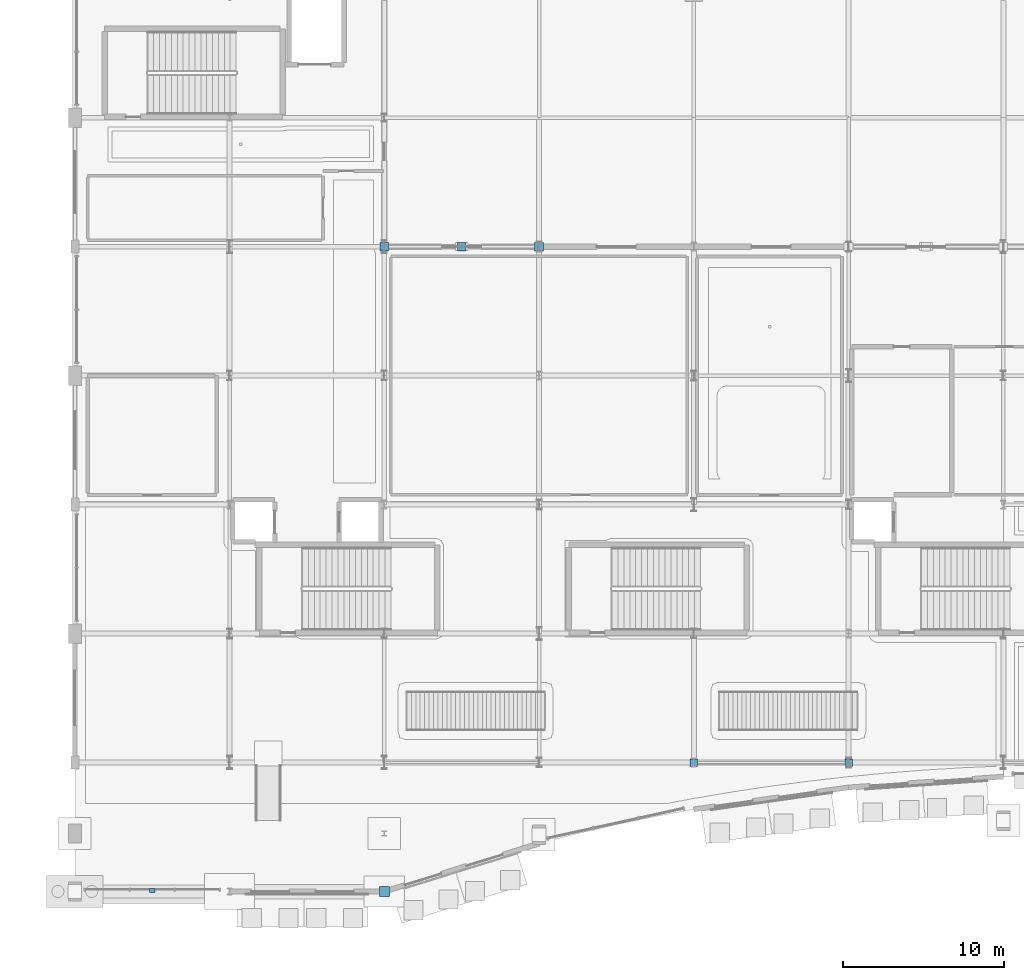
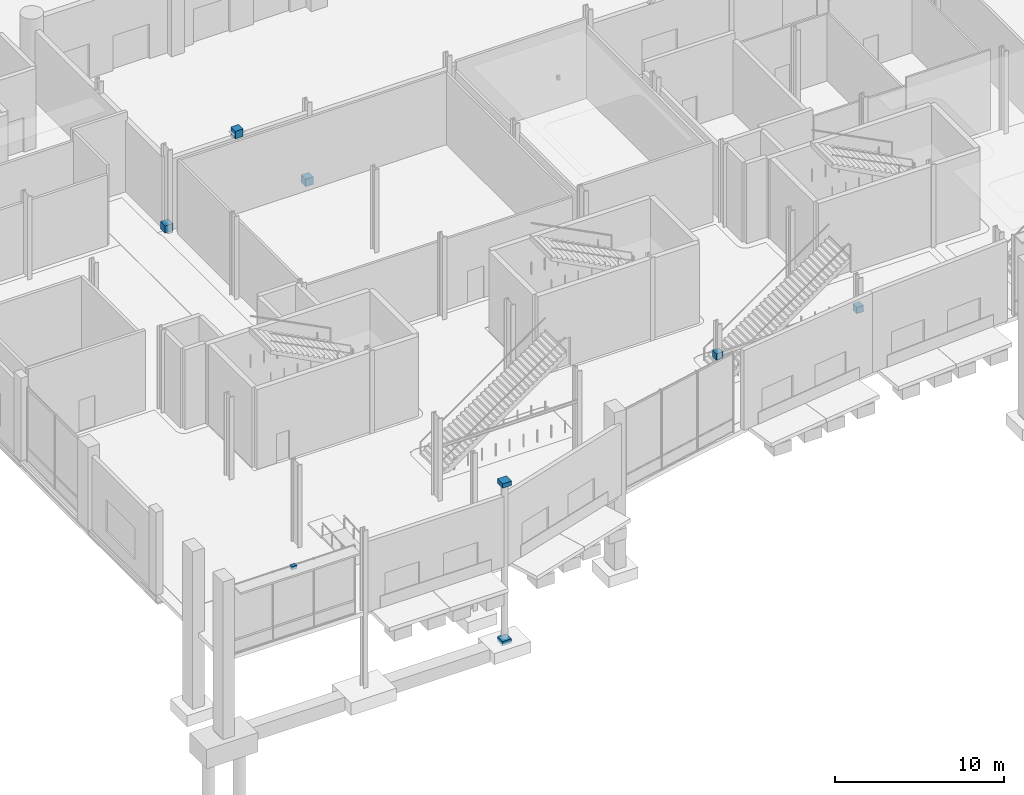
# One storey, part 92 of 124: 8 discrete accessories.
"""IFC4 building model written with IfcOpenShell, lengths in metres."""

from ifc_helpers import new_model, si_unit, direction, frame, origin, origin_2d, place, context, subcontext, project, spatial, rectangle, extrude, material, type_object, element, save


model = new_model("IFC4")

# Units and contexts
model_context = context("Model", 3, precision=1e-05, world=origin(), true_north=direction((0.0, 1.0)))
body_context = subcontext(model_context, "Body", "Model", "MODEL_VIEW")
ifc_project = project(units=[si_unit("LENGTHUNIT", "METRE"), si_unit("AREAUNIT", "SQUARE_METRE"), si_unit("VOLUMEUNIT", "CUBIC_METRE"), si_unit("PLANEANGLEUNIT", "RADIAN"), si_unit("MASSUNIT", "GRAM", prefix="KILO")], contexts=[model_context])

# Site, building, storey
site_placement = place(None, origin())
site = spatial("IfcSite", under=ifc_project, at=site_placement, CompositionType="ELEMENT")
building_placement = place(site_placement, origin())
building = spatial("IfcBuilding", under=site, at=building_placement, Name="Danafjord Basin Convention Centre", CompositionType="ELEMENT")
storey_placement = place(building_placement, origin())
storey = spatial("IfcBuildingStorey", under=building, at=storey_placement, Name="L00", CompositionType="ELEMENT", Elevation=0.0)

# Discrete accessories
ifc_material_1 = material(Name="Stainless steel EN 1.4404", Category="steel")
discrete_accessory_type_1 = type_object("IfcDiscreteAccessoryType", Name="ACC-FIN-BRK", PredefinedType="BRACKET", material=ifc_material_1)
discrete_accessory_placement = place(storey_placement, frame((4.800048828125, 0.070068359375, 4.77978515625), z_axis=(0.0, 0.0, 1.0), x_axis=(1.0, 0.0, 0.0)))
element("IfcDiscreteAccessory", 1, at=discrete_accessory_placement, inside=storey, type_object=discrete_accessory_type_1, Name="Sunshade tie-back bracket", PredefinedType="BRACKET", context=body_context, shape_type="SweptSolid", body=[
    extrude(rectangle(XDim=0.340087890625, YDim=0.260009765625, at=origin_2d()), origin(), (0.0, 0.0, 1.0), 0.219970703125),
])
ifc_material_2 = material(Name="Steel S355", Category="steel")
discrete_accessory_type_2 = type_object("IfcDiscreteAccessoryType", Name="ACC-SF-HUB", PredefinedType="BRACKET", material=ifc_material_2)
for number, where, z_axis, x_axis, name in (
    (2, (19.199951171875, 0.0, -5.56005859375), (0.0, 0.0, 1.0), (1.0, 0.0, 0.0), "Tubular steel column base collar"),
    (3, (19.199951171875, 0.0, 5.83984375), (0.0, 0.0, 1.0), (1.0, 0.0, 0.0), "Tubular steel column top cap plate"),
):
    element("IfcDiscreteAccessory", number, at=place(storey_placement, frame(where, z_axis=z_axis, x_axis=x_axis)), inside=storey, type_object=discrete_accessory_type_2, Name=name, PredefinedType="BRACKET", context=body_context, shape_type="SweptSolid", body=[
        extrude(rectangle(XDim=0.6201171875, YDim=0.6201171875, at=origin_2d()), origin(), (0.0, 0.0, 1.0), 0.320068359375),
    ])
for number, where, z_axis, x_axis, name in (
    (4, (38.39990234375, 8.0, 3.445068359375), (0.0, 0.0, 1.0), (1.0, 0.0, 0.0), "Portal lintel end cap collar"),
    (5, (48.0, 8.0, 3.445068359375), (0.0, 0.0, 1.0), (1.0, 0.0, 0.0), "Portal lintel end cap collar"),
):
    element("IfcDiscreteAccessory", number, at=place(storey_placement, frame(where, z_axis=z_axis, x_axis=x_axis)), inside=storey, type_object=discrete_accessory_type_2, Name=name, PredefinedType="BRACKET", context=body_context, shape_type="SweptSolid", body=[
        extrude(rectangle(XDim=0.4599609375, YDim=0.4599609375, at=origin_2d()), origin(), (0.0, 0.0, 1.0), 0.4599609375),
    ])
for number, where, z_axis, x_axis, name in (
    (6, (19.199951171875, 40.0, -0.02001953125), (0.0, 0.0, 1.0), (1.0, 0.0, 0.0), "Braced frame closed steel node"),
    (7, (28.800048828125, 40.0, -0.02001953125), (0.0, 0.0, 1.0), (1.0, 0.0, 0.0), "Braced frame closed steel node"),
    (8, (24.0, 40.0, 5.1298828125), (0.0, 0.0, 1.0), (1.0, 0.0, 0.0), "Braced frame closed steel node"),
):
    element("IfcDiscreteAccessory", number, at=place(storey_placement, frame(where, z_axis=z_axis, x_axis=x_axis)), inside=storey, type_object=discrete_accessory_type_2, Name=name, PredefinedType="BRACKET", context=body_context, shape_type="SweptSolid", body=[
        extrude(rectangle(XDim=0.5400390625, YDim=0.5400390625, at=origin_2d()), origin(), (0.0, 0.0, 1.0), 0.5400390625),
    ])

save(model, "model.ifc")
